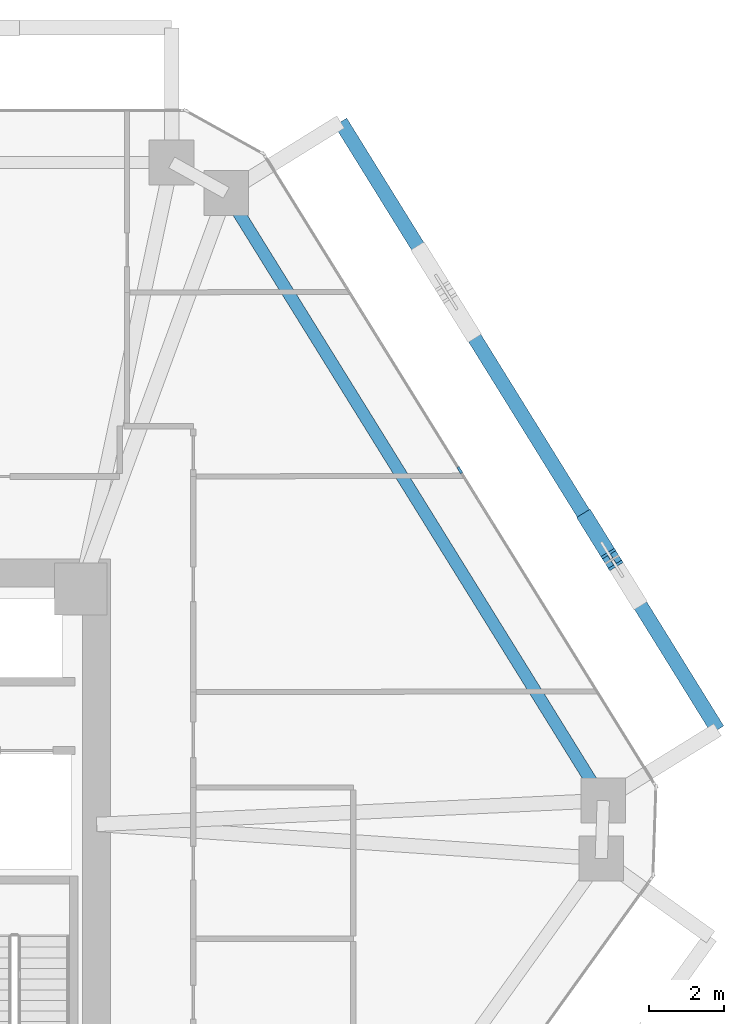
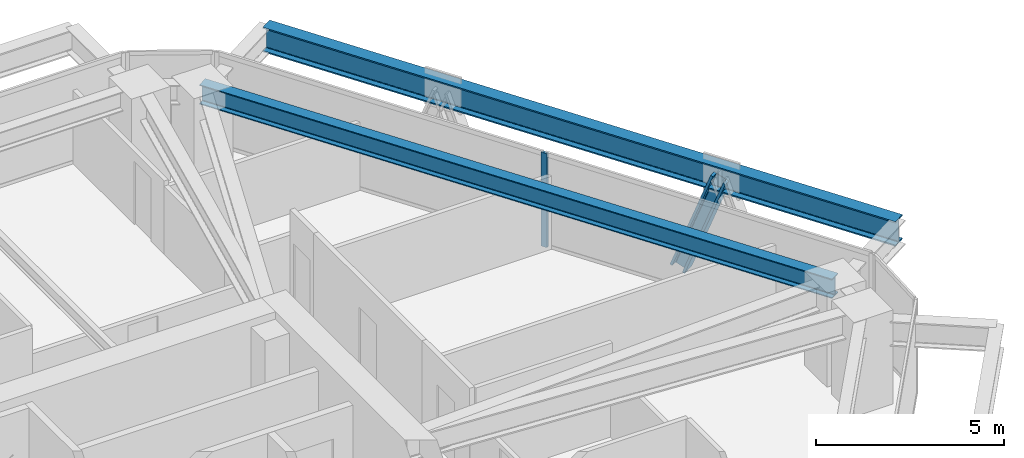
# One storey, part 6 of 16: 2 beams, 2 members, 1 element without a shape of its own.
"""IFC4 building model written with IfcOpenShell, lengths in metres."""

from ifc_helpers import new_model, si_unit, direction, frame, origin, origin_2d, place, context, subcontext, project, spatial, rectangle, i_section, extrude, source, transform, mapped, material, layer, layer_set, material_profile, profile_set, type_object, type_shapes, element, aggregate, save


model = new_model("IFC4")

# Units and contexts
model_context = context("Model", 3, precision=1e-05, world=origin(), true_north=direction((0.0, 1.0)))
body_context = subcontext(model_context, "Body", "Model", "MODEL_VIEW")
ifc_project = project(units=[si_unit("LENGTHUNIT", "METRE"), si_unit("AREAUNIT", "SQUARE_METRE"), si_unit("VOLUMEUNIT", "CUBIC_METRE"), si_unit("PLANEANGLEUNIT", "RADIAN"), si_unit("MASSUNIT", "GRAM", prefix="KILO")], contexts=[model_context])

# Site, building, storey
site_placement = place(None, origin())
site = spatial("IfcSite", under=ifc_project, at=site_placement, CompositionType="ELEMENT")
building_placement = place(site_placement, origin())
building = spatial("IfcBuilding", under=site, at=building_placement, Name="Durnholm Broadcast Tower", CompositionType="ELEMENT")
storey_placement = place(building_placement, frame((0.0, 0.0, 110.699951171875)))
storey = spatial("IfcBuildingStorey", under=building, at=storey_placement, Name="L29", CompositionType="ELEMENT", Elevation=110.699951171875)

# Beams
ifc_material_1 = material(Name="Steel ASTM A992 Grade 50", Category="steel")
ifc_material_profile_1 = material_profile(ifc_material_1, i_section(OverallWidth=0.3291015625, OverallDepth=0.635009765625, WebThickness=0.017822265625, FlangeThickness=0.031005859375, FilletRadius=0.02783203125, at=origin_2d()), Name="W24X162")
ifc_profile_set_1 = profile_set([ifc_material_profile_1], Name="Steel ASTM A992 Grade 50")
beam_type_1 = type_object("IfcBeamType", Name="STL-SP-W24X162", PredefinedType="SPANDREL", material=ifc_profile_set_1)
shared_shape_1 = source(origin(), body_context, "Body", "SweptSolid", [
    extrude(i_section(OverallWidth=0.3291015625, OverallDepth=0.635009765625, WebThickness=0.017822265625, FlangeThickness=0.031005859375, FilletRadius=0.02783203125, at=origin_2d()), origin(), (0.0, 0.0, 1.0), 19.139404296875),
])
type_shapes(beam_type_1, [shared_shape_1])
beam_1_placement = place(storey_placement, frame((13.692138671875, 18.4013671875, 2.7275390625), z_axis=(0.527111038734, -0.84979641847, 0.0), x_axis=(0.84979641847, 0.527111038734, 0.0)))
element("IfcBeam", 1, at=beam_1_placement, inside=storey, type_object=beam_type_1, Name="L29 perimeter spandrel girder 07", PredefinedType="SPANDREL", context=body_context, shape_type="MappedRepresentation", body=[
    mapped(shared_shape_1, transform((0.0, 0.0, 0.0), x_axis=(1.0, 0.0, 0.0), y_axis=(0.0, 1.0, 0.0), z_axis=(0.0, 0.0, 1.0), scale=1.0)),
])
ifc_material_profile_2 = material_profile(ifc_material_1, i_section(OverallWidth=0.385009765625, OverallDepth=0.802978515625, WebThickness=0.023681640625, FlangeThickness=0.0419921875, FilletRadius=0.032958984375, at=origin_2d()), Name="W30X261")
ifc_profile_set_2 = profile_set([ifc_material_profile_2], Name="Steel ASTM A992 Grade 50")
beam_type_2 = type_object("IfcBeamType", Name="BM-EXO-TIE", PredefinedType="USERDEFINED", material=ifc_profile_set_2)
shared_shape_2 = source(origin(), body_context, "Body", "SweptSolid", [
    extrude(i_section(OverallWidth=0.385009765625, OverallDepth=0.802978515625, WebThickness=0.023681640625, FlangeThickness=0.0419921875, FilletRadius=0.032958984375, at=origin_2d()), origin(), (0.0, 0.0, 1.0), 19.139404296875),
])
type_shapes(beam_type_2, [shared_shape_2])
beam_2_placement = place(storey_placement, frame((26.840087890625, 4.0341796875, 2.30859375), z_axis=(-0.527111038734, 0.84979641847, 0.0), x_axis=(-0.84979641847, -0.527111038734, 0.0)))
element("IfcBeam", 2, at=beam_2_placement, inside=storey, type_object=beam_type_2, Name="L29 exoskeleton collector spandrel F3", PredefinedType="SPANDREL", context=body_context, shape_type="MappedRepresentation", body=[
    mapped(shared_shape_2, transform((0.0, 0.0, 0.0), x_axis=(1.0, 0.0, 0.0), y_axis=(0.0, 1.0, 0.0), z_axis=(0.0, 0.0, 1.0), scale=1.0)),
])

# Member
ifc_material_2 = material(Name="Steel ASTM A913 Grade 65", Category="steel")
ifc_material_profile_3 = material_profile(ifc_material_2, i_section(OverallWidth=0.424072265625, OverallDepth=0.47412109375, WebThickness=0.047607421875, FlangeThickness=0.0771484375, FilletRadius=0.030517578125, at=origin_2d()), Name="W14X426")
ifc_profile_set_3 = profile_set([ifc_material_profile_3], Name="Steel ASTM A913 Grade 65")
member_type_1 = type_object("IfcMemberType", Name="STL-DG-W14X426", PredefinedType="BRACE", material=ifc_profile_set_3)
shared_shape_3 = source(origin(), body_context, "Body", "SweptSolid", [
    extrude(i_section(OverallWidth=0.424072265625, OverallDepth=0.47412109375, WebThickness=0.047607421875, FlangeThickness=0.0771484375, FilletRadius=0.030517578125, at=origin_2d()), origin(), (0.0, 0.0, 1.0), 3.523193359375),
])
type_shapes(member_type_1, [shared_shape_3])
member_1_placement = place(storey_placement, frame((23.36474609375, 9.63671875, -0.991455078125), z_axis=(0.184606642766, -0.297560406921, 0.936684681032), x_axis=(0.849750220063, 0.527185511469, 0.0)))
element("IfcMember", 3, at=member_1_placement, inside=storey, type_object=member_type_1, Name="L29 stand-off diagrid brace F3.D1.2", PredefinedType="BRACE", context=body_context, shape_type="MappedRepresentation", body=[
    mapped(shared_shape_3, transform((0.0, 0.0, 0.0), x_axis=(1.0, 0.0, 0.0), y_axis=(0.0, 1.0, 0.0), z_axis=(0.0, 0.0, 1.0), scale=1.0)),
])

# Curtain wall, member
ifc_material_3 = material(Name="Aluminium and Solar Control IGU", Category="aluminium")
ifc_layer = layer(ifc_material_3, 0.18994140625)
ifc_layer_set = layer_set([ifc_layer], Name="Aluminium and Solar Control IGU")
curtain_wall_type = type_object("IfcCurtainWallType", Name="CW-SYS-3", PredefinedType="NOTDEFINED", material=ifc_layer_set)
curtain_wall_placement = place(storey_placement, origin())
curtain_wall = element("IfcCurtainWall", 4, at=curtain_wall_placement, inside=storey, type_object=curtain_wall_type, Name="L29 curtain wall CW-Z12-VIS CW-L29-F06", PredefinedType="NOTDEFINED")
ifc_material_4 = material(Name="Aluminium 6063-T6", Category="aluminium")
ifc_material_profile_4 = material_profile(ifc_material_4, rectangle(XDim=0.070068359375, YDim=0.18994140625, at=origin_2d()), Name="CWM70X190")
ifc_profile_set_4 = profile_set([ifc_material_profile_4], Name="Aluminium 6063-T6")
member_type_2 = type_object("IfcMemberType", Name="CW-SYS-3-MUL", PredefinedType="MULLION", material=ifc_profile_set_4)
shared_shape_4 = source(origin(), body_context, "Body", "SweptSolid", [
    extrude(rectangle(XDim=0.070068359375, YDim=0.18994140625, at=origin_2d()), origin(), (0.0, 0.0, 1.0), 3.06005859375),
])
type_shapes(member_type_2, [shared_shape_4])
member_2_placement = place(storey_placement, frame((19.9423828125, 10.980712890625, 0.0), z_axis=(0.0, 0.0, 1.0), x_axis=(0.849799925229, 0.527105385176, 0.0)))
member_2 = element("IfcMember", 5, at=member_2_placement, type_object=member_type_2, Name="CW-Z12-VIS mullion 2", PredefinedType="MULLION", context=body_context, shape_type="MappedRepresentation", body=[
    mapped(shared_shape_4, transform((0.0, 0.0, 0.0), x_axis=(1.0, 0.0, 0.0), y_axis=(0.0, 1.0, 0.0), z_axis=(0.0, 0.0, 1.0), scale=1.0)),
])
aggregate(curtain_wall, [member_2])

save(model, "model.ifc")
